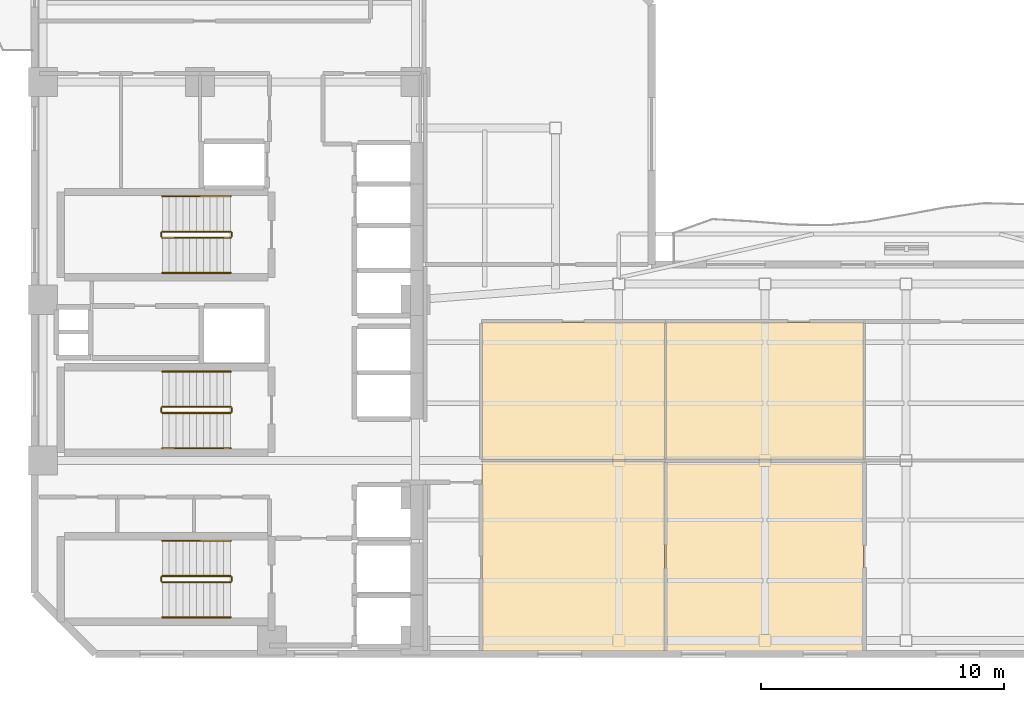
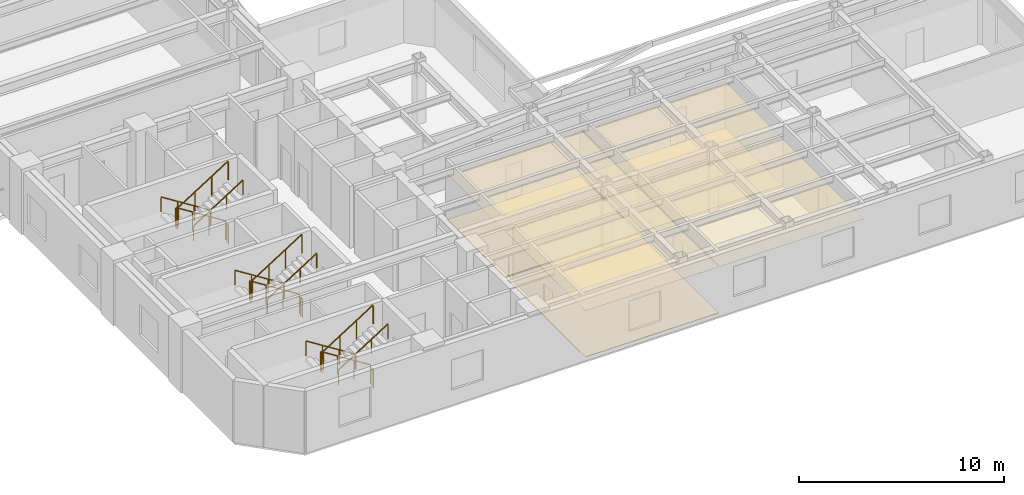
# One storey, part 7 of 9: 18 railings, 7 coverings.
"""IFC4 building model written with IfcOpenShell, lengths in metres."""

from ifc_helpers import new_model, si_unit, direction, frame, origin, origin_2d, place, context, subcontext, project, spatial, polyline, rectangle, outline, extrude, material, layer, layer_set, type_object, element, save


model = new_model("IFC4")

# Units and contexts
model_context = context("Model", 3, precision=1e-05, world=origin(), true_north=direction((0.0, 1.0)))
body_context = subcontext(model_context, "Body", "Model", "MODEL_VIEW")
ifc_project = project(units=[si_unit("LENGTHUNIT", "METRE"), si_unit("AREAUNIT", "SQUARE_METRE"), si_unit("VOLUMEUNIT", "CUBIC_METRE"), si_unit("PLANEANGLEUNIT", "RADIAN"), si_unit("MASSUNIT", "GRAM", prefix="KILO")], contexts=[model_context])

# Site, building, storey
site_placement = place(None, origin())
site = spatial("IfcSite", under=ifc_project, at=site_placement, CompositionType="ELEMENT")
building_placement = place(site_placement, origin())
building = spatial("IfcBuilding", under=site, at=building_placement, Name="Mawjaban Terraces University", CompositionType="ELEMENT")
storey_placement = place(building_placement, frame((0.0, 0.0, 126.800048828125)))
storey = spatial("IfcBuildingStorey", under=building, at=storey_placement, Name="L30", CompositionType="ELEMENT", Elevation=126.800048828125)

# Coverings
ifc_material_1 = material(Name="Acoustic mineral fibre ceiling tile", Category="masonry")
ifc_layer_1 = layer(ifc_material_1, 0.02001953125)
ifc_layer_set_1 = layer_set([ifc_layer_1], Name="Acoustic mineral fibre ceiling tile")
covering_type_1 = type_object("IfcCoveringType", Name="AcousticMineralCeiling_20", PredefinedType="CEILING", material=ifc_layer_set_1)
covering_1_placement = place(storey_placement, frame((0.0, 0.0, 2.75)))
element("IfcCovering", 1, at=covering_1_placement, inside=storey, type_object=covering_type_1, Name="L30 Quiet Reading Room 2 Acoustic Ceiling", PredefinedType="CEILING", context=body_context, shape_type="SweptSolid", body=[
    extrude(outline(polyline([(40.3798828125, 0.114990234375), (47.883056640625, 0.114990234375), (47.883056640625, 7.919921875), (40.3798828125, 7.919921875), (40.3798828125, 0.114990234375)])), origin(), (0.0, 0.0, 1.0), 0.02001953125),
])
covering_2_placement = place(storey_placement, frame((0.0, 0.0, 2.75)))
element("IfcCovering", 2, at=covering_2_placement, inside=storey, type_object=covering_type_1, Name="L30 Reading Salon 3 Acoustic Ceiling", PredefinedType="CEILING", context=body_context, shape_type="SweptSolid", body=[
    extrude(outline(polyline([(47.883056640625, 7.97998046875), (47.883056640625, 13.6201171875), (40.3798828125, 13.6201171875), (40.3798828125, 7.97998046875), (47.883056640625, 7.97998046875)])), origin(), (0.0, 0.0, 1.0), 0.02001953125),
])
covering_3_placement = place(storey_placement, frame((0.0, 0.0, 2.75)))
element("IfcCovering", 3, at=covering_3_placement, inside=storey, type_object=covering_type_1, Name="L30 Media Workshop 4 Acoustic Ceiling", PredefinedType="CEILING", context=body_context, shape_type="SweptSolid", body=[
    extrude(outline(polyline([(47.943115234375, 0.114990234375), (56.050048828125, 0.114990234375), (56.050048828125, 7.919921875), (47.943115234375, 7.919921875), (47.943115234375, 0.114990234375)])), origin(), (0.0, 0.0, 1.0), 0.02001953125),
])
covering_4_placement = place(storey_placement, frame((0.0, 0.0, 2.75)))
element("IfcCovering", 4, at=covering_4_placement, inside=storey, type_object=covering_type_1, Name="L30 Quiet Reading Room 5 Acoustic Ceiling", PredefinedType="CEILING", context=body_context, shape_type="SweptSolid", body=[
    extrude(outline(polyline([(56.050048828125, 7.97998046875), (56.050048828125, 13.6201171875), (47.943115234375, 13.6201171875), (47.943115234375, 7.97998046875), (56.050048828125, 7.97998046875)])), origin(), (0.0, 0.0, 1.0), 0.02001953125),
])

# Railings
ifc_material_2 = material(Name="Brushed stainless steel 316", Category="steel")
railing_type_1 = type_object("IfcRailingType", Name="StairWallHandrail_900", PredefinedType="HANDRAIL", material=ifc_material_2)
railing_1_placement = place(storey_placement, frame((30.050048828125, 4.64990234375, 0.17724609375)))
element("IfcRailing", 5, at=railing_1_placement, inside=storey, type_object=railing_type_1, Name="L30 ST-1 stair handrail 1", PredefinedType="HANDRAIL", context=body_context, shape_type="SweptSolid", body=[
    extrude(rectangle(XDim=0.048095703125, YDim=0.048095703125, at=origin_2d()), frame((0.0, 0.0, 0.8759765625), z_axis=(-0.844908973607, 0.0, 0.534910110503), x_axis=(0.0, -1.0, 0.0)), (0.0, 0.0, 1.0), 3.31396484375),
    extrude(rectangle(XDim=0.0419921875, YDim=0.0419921875, at=origin_2d()), origin(), (0.0, 0.0, 1.0), 0.851806640625),
    extrude(rectangle(XDim=0.0419921875, YDim=0.0419921875, at=origin_2d()), frame((-0.933349609375, 0.0, 0.5908203125)), (0.0, 0.0, 1.0), 0.851806640625),
    extrude(rectangle(XDim=0.0419921875, YDim=0.0419921875, at=origin_2d()), frame((-1.86669921875, 0.0, 1.181884765625)), (0.0, 0.0, 1.0), 0.851806640625),
    extrude(rectangle(XDim=0.0419921875, YDim=0.0419921875, at=origin_2d()), frame((-2.800048828125, 0.0, 1.772705078125)), (0.0, 0.0, 1.0), 0.851806640625),
])
railing_2_placement = place(storey_placement, frame((27.25, 1.5, 2.127197265625)))
element("IfcRailing", 6, at=railing_2_placement, inside=storey, type_object=railing_type_1, Name="L30 ST-1 stair handrail 2", PredefinedType="HANDRAIL", context=body_context, shape_type="SweptSolid", body=[
    extrude(rectangle(XDim=0.048095703125, YDim=0.048095703125, at=origin_2d()), frame((0.0, 0.0, 0.8759765625), z_axis=(0.844908973607, 0.0, 0.534910110503), x_axis=(0.0, 1.0, 0.0)), (0.0, 0.0, 1.0), 3.31396484375),
    extrude(rectangle(XDim=0.0419921875, YDim=0.0419921875, at=origin_2d()), origin(), (0.0, 0.0, 1.0), 0.851806640625),
    extrude(rectangle(XDim=0.0419921875, YDim=0.0419921875, at=origin_2d()), frame((0.933349609375, 0.0, 0.5908203125)), (0.0, 0.0, 1.0), 0.851806640625),
    extrude(rectangle(XDim=0.0419921875, YDim=0.0419921875, at=origin_2d()), frame((1.86669921875, 0.0, 1.181884765625)), (0.0, 0.0, 1.0), 0.851806640625),
    extrude(rectangle(XDim=0.0419921875, YDim=0.0419921875, at=origin_2d()), frame((2.800048828125, 0.0, 1.772705078125)), (0.0, 0.0, 1.0), 0.851806640625),
])
railing_3_placement = place(storey_placement, frame((30.050048828125, 18.800048828125, 0.17724609375)))
element("IfcRailing", 7, at=railing_3_placement, inside=storey, type_object=railing_type_1, Name="L30 ST-2 stair handrail 1", PredefinedType="HANDRAIL", context=body_context, shape_type="SweptSolid", body=[
    extrude(rectangle(XDim=0.048095703125, YDim=0.048095703125, at=origin_2d()), frame((0.0, 0.0, 0.8759765625), z_axis=(-0.844908973607, 0.0, 0.534910110503), x_axis=(0.0, -1.0, 0.0)), (0.0, 0.0, 1.0), 3.31396484375),
    extrude(rectangle(XDim=0.0419921875, YDim=0.0419921875, at=origin_2d()), origin(), (0.0, 0.0, 1.0), 0.851806640625),
    extrude(rectangle(XDim=0.0419921875, YDim=0.0419921875, at=origin_2d()), frame((-0.933349609375, 0.0, 0.5908203125)), (0.0, 0.0, 1.0), 0.851806640625),
    extrude(rectangle(XDim=0.0419921875, YDim=0.0419921875, at=origin_2d()), frame((-1.86669921875, 0.0, 1.181884765625)), (0.0, 0.0, 1.0), 0.851806640625),
    extrude(rectangle(XDim=0.0419921875, YDim=0.0419921875, at=origin_2d()), frame((-2.800048828125, 0.0, 1.772705078125)), (0.0, 0.0, 1.0), 0.851806640625),
])
railing_4_placement = place(storey_placement, frame((27.25, 15.64990234375, 2.127197265625)))
element("IfcRailing", 8, at=railing_4_placement, inside=storey, type_object=railing_type_1, Name="L30 ST-2 stair handrail 2", PredefinedType="HANDRAIL", context=body_context, shape_type="SweptSolid", body=[
    extrude(rectangle(XDim=0.048095703125, YDim=0.048095703125, at=origin_2d()), frame((0.0, 0.0, 0.8759765625), z_axis=(0.844908973607, 0.0, 0.534910110503), x_axis=(0.0, 1.0, 0.0)), (0.0, 0.0, 1.0), 3.31396484375),
    extrude(rectangle(XDim=0.0419921875, YDim=0.0419921875, at=origin_2d()), origin(), (0.0, 0.0, 1.0), 0.851806640625),
    extrude(rectangle(XDim=0.0419921875, YDim=0.0419921875, at=origin_2d()), frame((0.933349609375, 0.0, 0.5908203125)), (0.0, 0.0, 1.0), 0.851806640625),
    extrude(rectangle(XDim=0.0419921875, YDim=0.0419921875, at=origin_2d()), frame((1.86669921875, 0.0, 1.181884765625)), (0.0, 0.0, 1.0), 0.851806640625),
    extrude(rectangle(XDim=0.0419921875, YDim=0.0419921875, at=origin_2d()), frame((2.800048828125, 0.0, 1.772705078125)), (0.0, 0.0, 1.0), 0.851806640625),
])
railing_5_placement = place(storey_placement, frame((30.050048828125, 11.60009765625, 0.17724609375)))
element("IfcRailing", 9, at=railing_5_placement, inside=storey, type_object=railing_type_1, Name="L30 ST-3 stair handrail 1", PredefinedType="HANDRAIL", context=body_context, shape_type="SweptSolid", body=[
    extrude(rectangle(XDim=0.048095703125, YDim=0.048095703125, at=origin_2d()), frame((0.0, 0.0, 0.8759765625), z_axis=(-0.844908973607, 0.0, 0.534910110503), x_axis=(0.0, -1.0, 0.0)), (0.0, 0.0, 1.0), 3.31396484375),
    extrude(rectangle(XDim=0.0419921875, YDim=0.0419921875, at=origin_2d()), origin(), (0.0, 0.0, 1.0), 0.851806640625),
    extrude(rectangle(XDim=0.0419921875, YDim=0.0419921875, at=origin_2d()), frame((-0.933349609375, 0.0, 0.5908203125)), (0.0, 0.0, 1.0), 0.851806640625),
    extrude(rectangle(XDim=0.0419921875, YDim=0.0419921875, at=origin_2d()), frame((-1.86669921875, 0.0, 1.181884765625)), (0.0, 0.0, 1.0), 0.851806640625),
    extrude(rectangle(XDim=0.0419921875, YDim=0.0419921875, at=origin_2d()), frame((-2.800048828125, 0.0, 1.772705078125)), (0.0, 0.0, 1.0), 0.851806640625),
])
railing_6_placement = place(storey_placement, frame((27.25, 8.449951171875, 2.127197265625)))
element("IfcRailing", 10, at=railing_6_placement, inside=storey, type_object=railing_type_1, Name="L30 ST-3 stair handrail 2", PredefinedType="HANDRAIL", context=body_context, shape_type="SweptSolid", body=[
    extrude(rectangle(XDim=0.048095703125, YDim=0.048095703125, at=origin_2d()), frame((0.0, 0.0, 0.8759765625), z_axis=(0.844908973607, 0.0, 0.534910110503), x_axis=(0.0, 1.0, 0.0)), (0.0, 0.0, 1.0), 3.31396484375),
    extrude(rectangle(XDim=0.0419921875, YDim=0.0419921875, at=origin_2d()), origin(), (0.0, 0.0, 1.0), 0.851806640625),
    extrude(rectangle(XDim=0.0419921875, YDim=0.0419921875, at=origin_2d()), frame((0.933349609375, 0.0, 0.5908203125)), (0.0, 0.0, 1.0), 0.851806640625),
    extrude(rectangle(XDim=0.0419921875, YDim=0.0419921875, at=origin_2d()), frame((1.86669921875, 0.0, 1.181884765625)), (0.0, 0.0, 1.0), 0.851806640625),
    extrude(rectangle(XDim=0.0419921875, YDim=0.0419921875, at=origin_2d()), frame((2.800048828125, 0.0, 1.772705078125)), (0.0, 0.0, 1.0), 0.851806640625),
])
ifc_material_3 = material(Name="Galvanised painted steel S355", Category="steel")
railing_type_2 = type_object("IfcRailingType", Name="StairWellGuard_1150", PredefinedType="BALUSTRADE", material=ifc_material_3)
railing_7_placement = place(storey_placement, frame((30.050048828125, 3.199951171875, 0.17724609375)))
element("IfcRailing", 11, at=railing_7_placement, inside=storey, type_object=railing_type_2, Name="L30 ST-1 stair guard 1", PredefinedType="BALUSTRADE", context=body_context, shape_type="SweptSolid", body=[
    extrude(rectangle(XDim=0.048095703125, YDim=0.048095703125, at=origin_2d()), frame((0.0, 0.0, 1.1259765625), z_axis=(-0.844908973607, 0.0, 0.534910110503), x_axis=(0.0, -1.0, 0.0)), (0.0, 0.0, 1.0), 3.31396484375),
    extrude(rectangle(XDim=0.0419921875, YDim=0.0419921875, at=origin_2d()), origin(), (0.0, 0.0, 1.0), 1.101806640625),
    extrude(rectangle(XDim=0.0419921875, YDim=0.0419921875, at=origin_2d()), frame((-0.933349609375, 0.0, 0.5908203125)), (0.0, 0.0, 1.0), 1.101806640625),
    extrude(rectangle(XDim=0.0419921875, YDim=0.0419921875, at=origin_2d()), frame((-1.86669921875, 0.0, 1.181884765625)), (0.0, 0.0, 1.0), 1.101806640625),
    extrude(rectangle(XDim=0.0419921875, YDim=0.0419921875, at=origin_2d()), frame((-2.800048828125, 0.0, 1.772705078125)), (0.0, 0.0, 1.0), 1.101806640625),
])
railing_8_placement = place(storey_placement, frame((27.199951171875, 3.14990234375, 1.949951171875)))
element("IfcRailing", 12, at=railing_8_placement, inside=storey, type_object=railing_type_2, Name="L30 ST-1 stair guard 2", PredefinedType="BALUSTRADE", context=body_context, shape_type="SweptSolid", body=[
    extrude(rectangle(XDim=0.048095703125, YDim=0.048095703125, at=origin_2d()), frame((0.0, 0.0, 1.1259765625), z_axis=(0.0, -1.0, 0.0), x_axis=(1.0, 0.0, 0.0)), (0.0, 0.0, 1.0), 0.14990234375),
    extrude(rectangle(XDim=0.0419921875, YDim=0.0419921875, at=origin_2d()), origin(), (0.0, 0.0, 1.0), 1.101806640625),
    extrude(rectangle(XDim=0.0419921875, YDim=0.0419921875, at=origin_2d()), frame((0.0, -0.14990234375, 0.0)), (0.0, 0.0, 1.0), 1.101806640625),
])
railing_9_placement = place(storey_placement, frame((27.25, 2.949951171875, 2.127197265625)))
element("IfcRailing", 13, at=railing_9_placement, inside=storey, type_object=railing_type_2, Name="L30 ST-1 stair guard 3", PredefinedType="BALUSTRADE", context=body_context, shape_type="SweptSolid", body=[
    extrude(rectangle(XDim=0.048095703125, YDim=0.048095703125, at=origin_2d()), frame((0.0, 0.0, 1.1259765625), z_axis=(0.844908973607, 0.0, 0.534910110503), x_axis=(0.0, 1.0, 0.0)), (0.0, 0.0, 1.0), 3.31396484375),
    extrude(rectangle(XDim=0.0419921875, YDim=0.0419921875, at=origin_2d()), origin(), (0.0, 0.0, 1.0), 1.101806640625),
    extrude(rectangle(XDim=0.0419921875, YDim=0.0419921875, at=origin_2d()), frame((0.933349609375, 0.0, 0.5908203125)), (0.0, 0.0, 1.0), 1.101806640625),
    extrude(rectangle(XDim=0.0419921875, YDim=0.0419921875, at=origin_2d()), frame((1.86669921875, 0.0, 1.181884765625)), (0.0, 0.0, 1.0), 1.101806640625),
    extrude(rectangle(XDim=0.0419921875, YDim=0.0419921875, at=origin_2d()), frame((2.800048828125, 0.0, 1.772705078125)), (0.0, 0.0, 1.0), 1.101806640625),
])
railing_10_placement = place(storey_placement, frame((30.10009765625, 3.14990234375, 0.0)))
element("IfcRailing", 14, at=railing_10_placement, inside=storey, type_object=railing_type_2, Name="L30 ST-1 stair guard 4", PredefinedType="BALUSTRADE", context=body_context, shape_type="SweptSolid", body=[
    extrude(rectangle(XDim=0.048095703125, YDim=0.048095703125, at=origin_2d()), frame((0.0, 0.0, 1.1259765625), z_axis=(0.0, -1.0, 0.0), x_axis=(1.0, 0.0, 0.0)), (0.0, 0.0, 1.0), 0.14990234375),
    extrude(rectangle(XDim=0.0419921875, YDim=0.0419921875, at=origin_2d()), origin(), (0.0, 0.0, 1.0), 1.101806640625),
    extrude(rectangle(XDim=0.0419921875, YDim=0.0419921875, at=origin_2d()), frame((0.0, -0.14990234375, 0.0)), (0.0, 0.0, 1.0), 1.101806640625),
])
railing_11_placement = place(storey_placement, frame((30.050048828125, 17.35009765625, 0.17724609375)))
element("IfcRailing", 15, at=railing_11_placement, inside=storey, type_object=railing_type_2, Name="L30 ST-2 stair guard 1", PredefinedType="BALUSTRADE", context=body_context, shape_type="SweptSolid", body=[
    extrude(rectangle(XDim=0.048095703125, YDim=0.048095703125, at=origin_2d()), frame((0.0, 0.0, 1.1259765625), z_axis=(-0.844908973607, 0.0, 0.534910110503), x_axis=(0.0, -1.0, 0.0)), (0.0, 0.0, 1.0), 3.31396484375),
    extrude(rectangle(XDim=0.0419921875, YDim=0.0419921875, at=origin_2d()), origin(), (0.0, 0.0, 1.0), 1.101806640625),
    extrude(rectangle(XDim=0.0419921875, YDim=0.0419921875, at=origin_2d()), frame((-0.933349609375, 0.0, 0.5908203125)), (0.0, 0.0, 1.0), 1.101806640625),
    extrude(rectangle(XDim=0.0419921875, YDim=0.0419921875, at=origin_2d()), frame((-1.86669921875, 0.0, 1.181884765625)), (0.0, 0.0, 1.0), 1.101806640625),
    extrude(rectangle(XDim=0.0419921875, YDim=0.0419921875, at=origin_2d()), frame((-2.800048828125, 0.0, 1.772705078125)), (0.0, 0.0, 1.0), 1.101806640625),
])
railing_12_placement = place(storey_placement, frame((27.199951171875, 17.300048828125, 1.949951171875)))
element("IfcRailing", 16, at=railing_12_placement, inside=storey, type_object=railing_type_2, Name="L30 ST-2 stair guard 2", PredefinedType="BALUSTRADE", context=body_context, shape_type="SweptSolid", body=[
    extrude(rectangle(XDim=0.048095703125, YDim=0.048095703125, at=origin_2d()), frame((0.0, 0.0, 1.1259765625), z_axis=(0.0, -1.0, 0.0), x_axis=(1.0, 0.0, 0.0)), (0.0, 0.0, 1.0), 0.150146484375),
    extrude(rectangle(XDim=0.0419921875, YDim=0.0419921875, at=origin_2d()), origin(), (0.0, 0.0, 1.0), 1.101806640625),
    extrude(rectangle(XDim=0.0419921875, YDim=0.0419921875, at=origin_2d()), frame((0.0, -0.150146484375, 0.0)), (0.0, 0.0, 1.0), 1.101806640625),
])
railing_13_placement = place(storey_placement, frame((27.25, 17.10009765625, 2.127197265625)))
element("IfcRailing", 17, at=railing_13_placement, inside=storey, type_object=railing_type_2, Name="L30 ST-2 stair guard 3", PredefinedType="BALUSTRADE", context=body_context, shape_type="SweptSolid", body=[
    extrude(rectangle(XDim=0.048095703125, YDim=0.048095703125, at=origin_2d()), frame((0.0, 0.0, 1.1259765625), z_axis=(0.844908973607, 0.0, 0.534910110503), x_axis=(0.0, 1.0, 0.0)), (0.0, 0.0, 1.0), 3.31396484375),
    extrude(rectangle(XDim=0.0419921875, YDim=0.0419921875, at=origin_2d()), origin(), (0.0, 0.0, 1.0), 1.101806640625),
    extrude(rectangle(XDim=0.0419921875, YDim=0.0419921875, at=origin_2d()), frame((0.933349609375, 0.0, 0.5908203125)), (0.0, 0.0, 1.0), 1.101806640625),
    extrude(rectangle(XDim=0.0419921875, YDim=0.0419921875, at=origin_2d()), frame((1.86669921875, 0.0, 1.181884765625)), (0.0, 0.0, 1.0), 1.101806640625),
    extrude(rectangle(XDim=0.0419921875, YDim=0.0419921875, at=origin_2d()), frame((2.800048828125, 0.0, 1.772705078125)), (0.0, 0.0, 1.0), 1.101806640625),
])
railing_14_placement = place(storey_placement, frame((30.10009765625, 17.300048828125, 0.0)))
element("IfcRailing", 18, at=railing_14_placement, inside=storey, type_object=railing_type_2, Name="L30 ST-2 stair guard 4", PredefinedType="BALUSTRADE", context=body_context, shape_type="SweptSolid", body=[
    extrude(rectangle(XDim=0.048095703125, YDim=0.048095703125, at=origin_2d()), frame((0.0, 0.0, 1.1259765625), z_axis=(0.0, -1.0, 0.0), x_axis=(1.0, 0.0, 0.0)), (0.0, 0.0, 1.0), 0.150146484375),
    extrude(rectangle(XDim=0.0419921875, YDim=0.0419921875, at=origin_2d()), origin(), (0.0, 0.0, 1.0), 1.101806640625),
    extrude(rectangle(XDim=0.0419921875, YDim=0.0419921875, at=origin_2d()), frame((0.0, -0.150146484375, 0.0)), (0.0, 0.0, 1.0), 1.101806640625),
])
railing_15_placement = place(storey_placement, frame((30.050048828125, 10.14990234375, 0.17724609375)))
element("IfcRailing", 19, at=railing_15_placement, inside=storey, type_object=railing_type_2, Name="L30 ST-3 stair guard 1", PredefinedType="BALUSTRADE", context=body_context, shape_type="SweptSolid", body=[
    extrude(rectangle(XDim=0.048095703125, YDim=0.048095703125, at=origin_2d()), frame((0.0, 0.0, 1.1259765625), z_axis=(-0.844908973607, 0.0, 0.534910110503), x_axis=(0.0, -1.0, 0.0)), (0.0, 0.0, 1.0), 3.31396484375),
    extrude(rectangle(XDim=0.0419921875, YDim=0.0419921875, at=origin_2d()), origin(), (0.0, 0.0, 1.0), 1.101806640625),
    extrude(rectangle(XDim=0.0419921875, YDim=0.0419921875, at=origin_2d()), frame((-0.933349609375, 0.0, 0.5908203125)), (0.0, 0.0, 1.0), 1.101806640625),
    extrude(rectangle(XDim=0.0419921875, YDim=0.0419921875, at=origin_2d()), frame((-1.86669921875, 0.0, 1.181884765625)), (0.0, 0.0, 1.0), 1.101806640625),
    extrude(rectangle(XDim=0.0419921875, YDim=0.0419921875, at=origin_2d()), frame((-2.800048828125, 0.0, 1.772705078125)), (0.0, 0.0, 1.0), 1.101806640625),
])
railing_16_placement = place(storey_placement, frame((27.199951171875, 10.10009765625, 1.949951171875)))
element("IfcRailing", 20, at=railing_16_placement, inside=storey, type_object=railing_type_2, Name="L30 ST-3 stair guard 2", PredefinedType="BALUSTRADE", context=body_context, shape_type="SweptSolid", body=[
    extrude(rectangle(XDim=0.048095703125, YDim=0.048095703125, at=origin_2d()), frame((0.0, 0.0, 1.1259765625), z_axis=(0.0, -1.0, 0.0), x_axis=(1.0, 0.0, 0.0)), (0.0, 0.0, 1.0), 0.150146484375),
    extrude(rectangle(XDim=0.0419921875, YDim=0.0419921875, at=origin_2d()), origin(), (0.0, 0.0, 1.0), 1.101806640625),
    extrude(rectangle(XDim=0.0419921875, YDim=0.0419921875, at=origin_2d()), frame((0.0, -0.150146484375, 0.0)), (0.0, 0.0, 1.0), 1.101806640625),
])
railing_17_placement = place(storey_placement, frame((27.25, 9.89990234375, 2.127197265625)))
element("IfcRailing", 21, at=railing_17_placement, inside=storey, type_object=railing_type_2, Name="L30 ST-3 stair guard 3", PredefinedType="BALUSTRADE", context=body_context, shape_type="SweptSolid", body=[
    extrude(rectangle(XDim=0.048095703125, YDim=0.048095703125, at=origin_2d()), frame((0.0, 0.0, 1.1259765625), z_axis=(0.844908973607, 0.0, 0.534910110503), x_axis=(0.0, 1.0, 0.0)), (0.0, 0.0, 1.0), 3.31396484375),
    extrude(rectangle(XDim=0.0419921875, YDim=0.0419921875, at=origin_2d()), origin(), (0.0, 0.0, 1.0), 1.101806640625),
    extrude(rectangle(XDim=0.0419921875, YDim=0.0419921875, at=origin_2d()), frame((0.933349609375, 0.0, 0.5908203125)), (0.0, 0.0, 1.0), 1.101806640625),
    extrude(rectangle(XDim=0.0419921875, YDim=0.0419921875, at=origin_2d()), frame((1.86669921875, 0.0, 1.181884765625)), (0.0, 0.0, 1.0), 1.101806640625),
    extrude(rectangle(XDim=0.0419921875, YDim=0.0419921875, at=origin_2d()), frame((2.800048828125, 0.0, 1.772705078125)), (0.0, 0.0, 1.0), 1.101806640625),
])
railing_18_placement = place(storey_placement, frame((30.10009765625, 10.10009765625, 0.0)))
element("IfcRailing", 22, at=railing_18_placement, inside=storey, type_object=railing_type_2, Name="L30 ST-3 stair guard 4", PredefinedType="BALUSTRADE", context=body_context, shape_type="SweptSolid", body=[
    extrude(rectangle(XDim=0.048095703125, YDim=0.048095703125, at=origin_2d()), frame((0.0, 0.0, 1.1259765625), z_axis=(0.0, -1.0, 0.0), x_axis=(1.0, 0.0, 0.0)), (0.0, 0.0, 1.0), 0.150146484375),
    extrude(rectangle(XDim=0.0419921875, YDim=0.0419921875, at=origin_2d()), origin(), (0.0, 0.0, 1.0), 1.101806640625),
    extrude(rectangle(XDim=0.0419921875, YDim=0.0419921875, at=origin_2d()), frame((0.0, -0.150146484375, 0.0)), (0.0, 0.0, 1.0), 1.101806640625),
])

# Coverings
ifc_material_4 = material(Name="Polished Hijazi granite terrazzo flooring", Category="masonry")
ifc_layer_2 = layer(ifc_material_4, 0.02490234375)
ifc_layer_set_2 = layer_set([ifc_layer_2], Name="Polished Hijazi granite terrazzo flooring")
covering_type_2 = type_object("IfcCoveringType", Name="TerrazzoConcourseFlooring_25", PredefinedType="FLOORING", material=ifc_layer_set_2)
covering_5_placement = place(storey_placement, origin())
element("IfcCovering", 23, at=covering_5_placement, inside=storey, type_object=covering_type_2, Name="L30 Quiet Reading Room 2 Terrazzo Flooring", PredefinedType="FLOORING", context=body_context, shape_type="SweptSolid", body=[
    extrude(outline(polyline([(40.3798828125, 0.114990234375), (47.883056640625, 0.114990234375), (47.883056640625, 7.919921875), (40.3798828125, 7.919921875), (40.3798828125, 0.114990234375)])), origin(), (0.0, 0.0, 1.0), 0.02490234375),
])
covering_6_placement = place(storey_placement, origin())
element("IfcCovering", 24, at=covering_6_placement, inside=storey, type_object=covering_type_2, Name="L30 Reading Salon 3 Terrazzo Flooring", PredefinedType="FLOORING", context=body_context, shape_type="SweptSolid", body=[
    extrude(outline(polyline([(47.883056640625, 7.97998046875), (47.883056640625, 13.6201171875), (40.3798828125, 13.6201171875), (40.3798828125, 7.97998046875), (47.883056640625, 7.97998046875)])), origin(), (0.0, 0.0, 1.0), 0.02490234375),
])
covering_7_placement = place(storey_placement, origin())
element("IfcCovering", 25, at=covering_7_placement, inside=storey, type_object=covering_type_2, Name="L30 Quiet Reading Room 5 Terrazzo Flooring", PredefinedType="FLOORING", context=body_context, shape_type="SweptSolid", body=[
    extrude(outline(polyline([(56.050048828125, 7.97998046875), (56.050048828125, 13.6201171875), (47.943115234375, 13.6201171875), (47.943115234375, 7.97998046875), (56.050048828125, 7.97998046875)])), origin(), (0.0, 0.0, 1.0), 0.02490234375),
])

save(model, "model.ifc")
